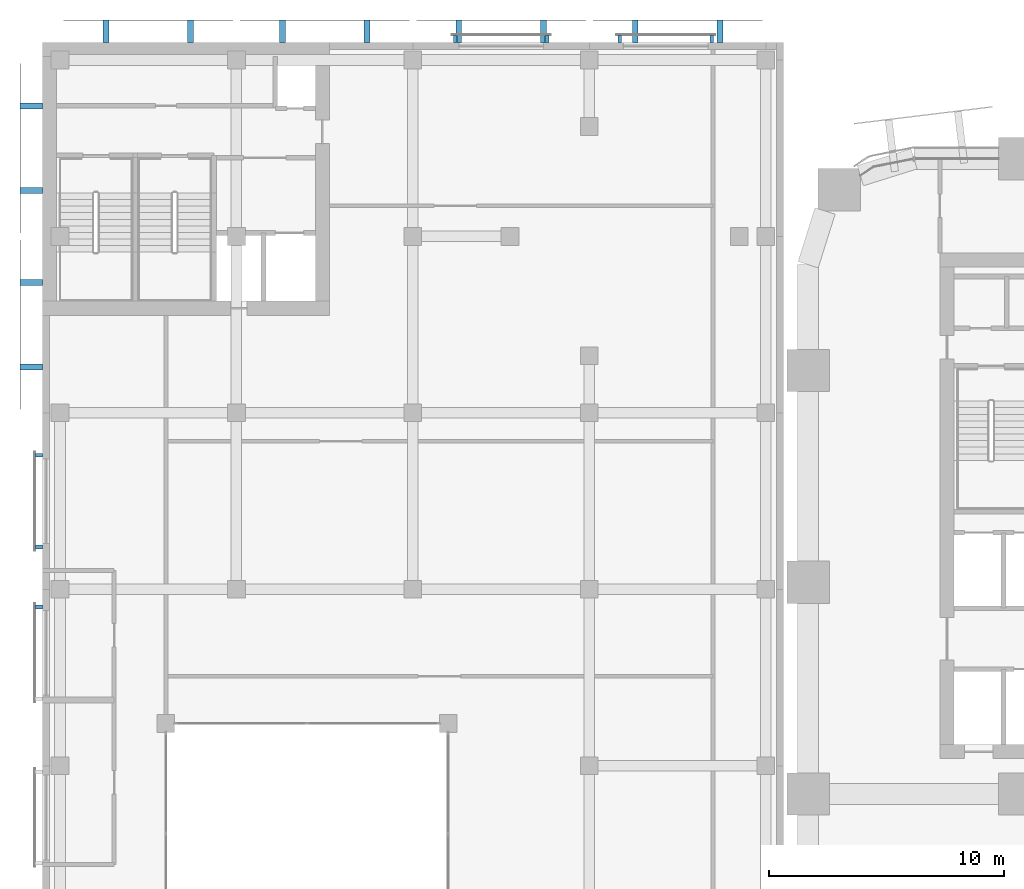
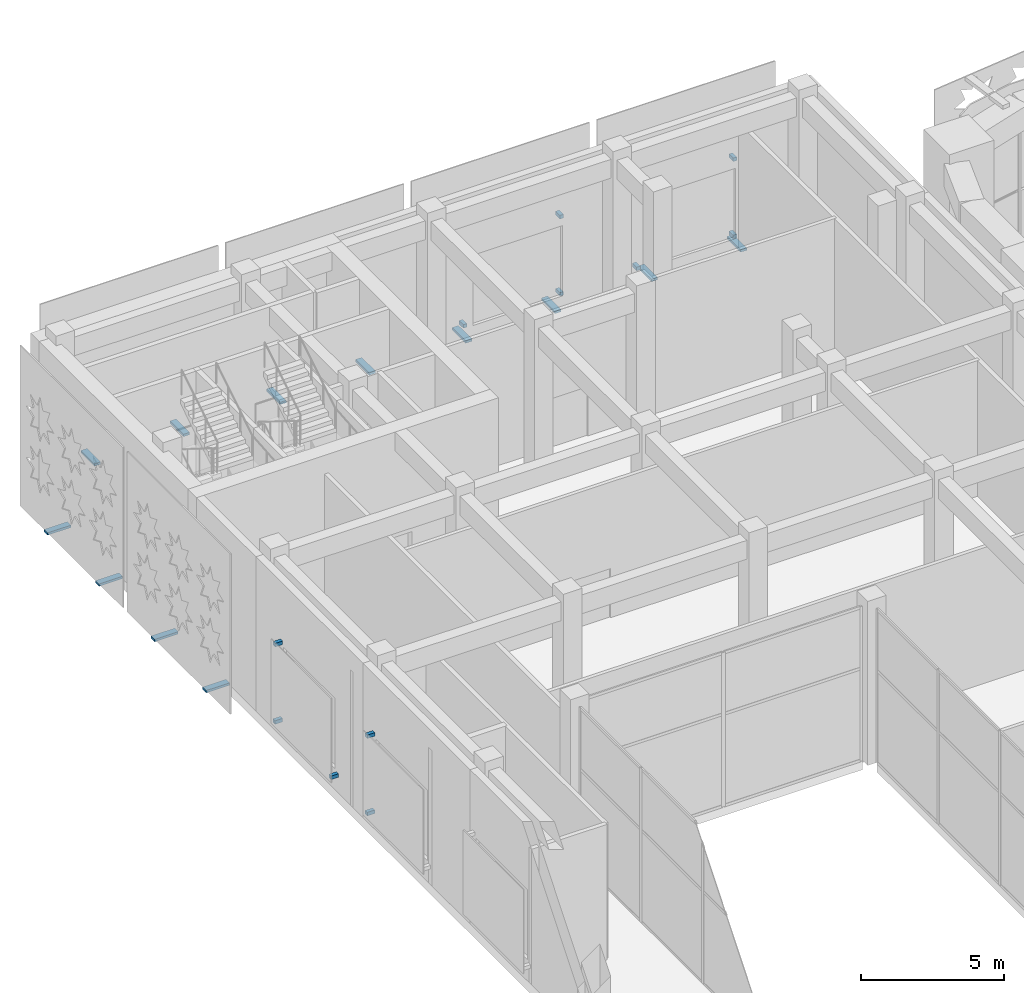
# One storey, part 28 of 42: 23 discrete accessories.
"""IFC4 building model written with IfcOpenShell, lengths in metres."""

from ifc_helpers import new_model, si_unit, direction, frame, origin, origin_2d, place, context, subcontext, project, spatial, rectangle, extrude, element, save


model = new_model("IFC4")

# Units and contexts
model_context = context("Model", 3, precision=1e-05, world=origin(), true_north=direction((0.0, 1.0)))
body_context = subcontext(model_context, "Body", "Model", "MODEL_VIEW")
ifc_project = project(units=[si_unit("LENGTHUNIT", "METRE"), si_unit("AREAUNIT", "SQUARE_METRE"), si_unit("VOLUMEUNIT", "CUBIC_METRE"), si_unit("PLANEANGLEUNIT", "RADIAN"), si_unit("MASSUNIT", "GRAM", prefix="KILO")], contexts=[model_context])

# Site, building, storey
site_placement = place(None, origin())
site = spatial("IfcSite", under=ifc_project, at=site_placement, CompositionType="ELEMENT")
building_placement = place(site_placement, origin())
building = spatial("IfcBuilding", under=site, at=building_placement, Name="Tessera Arch", CompositionType="ELEMENT")
storey_placement = place(building_placement, frame((0.0, 0.0, 14.0)))
storey = spatial("IfcBuildingStorey", under=building, at=storey_placement, Name="L02", CompositionType="ELEMENT", Elevation=14.0)

# Discrete accessories
for number, where, z_axis, x_axis, name in (
    (1, (-4.10009765625, 59.10009765625, 0.675048828125), (0.0, 0.0, 1.0), (0.0, 1.0, 0.0), "Screen bracket"),
    (2, (-8.0, 59.10009765625, 0.675048828125), (0.0, 0.0, 1.0), (0.0, 1.0, 0.0), "Screen bracket"),
    (3, (-4.10009765625, 59.10009765625, 3.97509765625), (0.0, 0.0, 1.0), (0.0, 1.0, 0.0), "Screen bracket"),
    (4, (-11.10009765625, 59.10009765625, 0.675048828125), (0.0, 0.0, 1.0), (0.0, 1.0, 0.0), "Screen bracket"),
    (5, (-15.0, 59.10009765625, 0.675048828125), (0.0, 0.0, 1.0), (0.0, 1.0, 0.0), "Screen bracket"),
    (6, (-11.10009765625, 59.10009765625, 3.97509765625), (0.0, 0.0, 1.0), (0.0, 1.0, 0.0), "Screen bracket"),
    (7, (-32.699951171875, 41.39990234375, 0.675048828125), (0.0, 0.0, 1.0), (-1.0, 0.0, 0.0), "Screen bracket"),
    (8, (-32.699951171875, 37.5, 0.675048828125), (0.0, 0.0, 1.0), (-1.0, 0.0, 0.0), "Screen bracket"),
    (9, (-32.699951171875, 41.39990234375, 3.97509765625), (0.0, 0.0, 1.0), (-1.0, 0.0, 0.0), "Screen bracket"),
    (10, (-32.699951171875, 34.949951171875, 0.675048828125), (0.0, 0.0, 1.0), (-1.0, 0.0, 0.0), "Screen bracket"),
    (11, (-32.699951171875, 34.949951171875, 3.97509765625), (0.0, 0.0, 1.0), (-1.0, 0.0, 0.0), "Screen bracket"),
):
    element("IfcDiscreteAccessory", number, at=place(storey_placement, frame(where, z_axis=z_axis, x_axis=x_axis)), inside=storey, Name=name, PredefinedType="BRACKET", context=body_context, shape_type="SweptSolid", body=[
        extrude(rectangle(XDim=0.300048828125, YDim=0.14990234375, at=origin_2d()), origin(), (0.0, 0.0, 1.0), 0.14990234375),
    ])
for number, where, z_axis, x_axis, name in (
    (12, (-3.75, 59.425048828125, 0.0), (0.0, 0.0, 1.0), (0.0, 1.0, 0.0), "Screen panel bracket"),
    (13, (-7.35009765625, 59.425048828125, 0.0), (0.0, 0.0, 1.0), (0.0, 1.0, 0.0), "Screen panel bracket"),
    (14, (-11.25, 59.425048828125, 0.0), (0.0, 0.0, 1.0), (0.0, 1.0, 0.0), "Screen panel bracket"),
    (15, (-14.85009765625, 59.425048828125, 0.0), (0.0, 0.0, 1.0), (0.0, 1.0, 0.0), "Screen panel bracket"),
    (16, (-18.75, 59.425048828125, 0.0), (0.0, 0.0, 1.0), (0.0, 1.0, 0.0), "Screen panel bracket"),
    (17, (-22.35009765625, 59.425048828125, 0.0), (0.0, 0.0, 1.0), (0.0, 1.0, 0.0), "Screen panel bracket"),
    (18, (-26.25, 59.425048828125, 0.0), (0.0, 0.0, 1.0), (0.0, 1.0, 0.0), "Screen panel bracket"),
    (19, (-29.85009765625, 59.425048828125, 0.0), (0.0, 0.0, 1.0), (0.0, 1.0, 0.0), "Screen panel bracket"),
    (20, (-33.02490234375, 56.25, 0.0), (0.0, 0.0, 1.0), (-1.0, 0.0, 0.0), "Screen panel bracket"),
    (21, (-33.02490234375, 52.64990234375, 0.0), (0.0, 0.0, 1.0), (-1.0, 0.0, 0.0), "Screen panel bracket"),
    (22, (-33.02490234375, 48.75, 0.0), (0.0, 0.0, 1.0), (-1.0, 0.0, 0.0), "Screen panel bracket"),
    (23, (-33.02490234375, 45.14990234375, 0.0), (0.0, 0.0, 1.0), (-1.0, 0.0, 0.0), "Screen panel bracket"),
):
    element("IfcDiscreteAccessory", number, at=place(storey_placement, frame(where, z_axis=z_axis, x_axis=x_axis)), inside=storey, Name=name, PredefinedType="BRACKET", context=body_context, shape_type="SweptSolid", body=[
        extrude(rectangle(XDim=0.949951171875, YDim=0.25, at=origin_2d()), origin(), (0.0, 0.0, 1.0), 0.10009765625),
    ])

save(model, "model.ifc")
